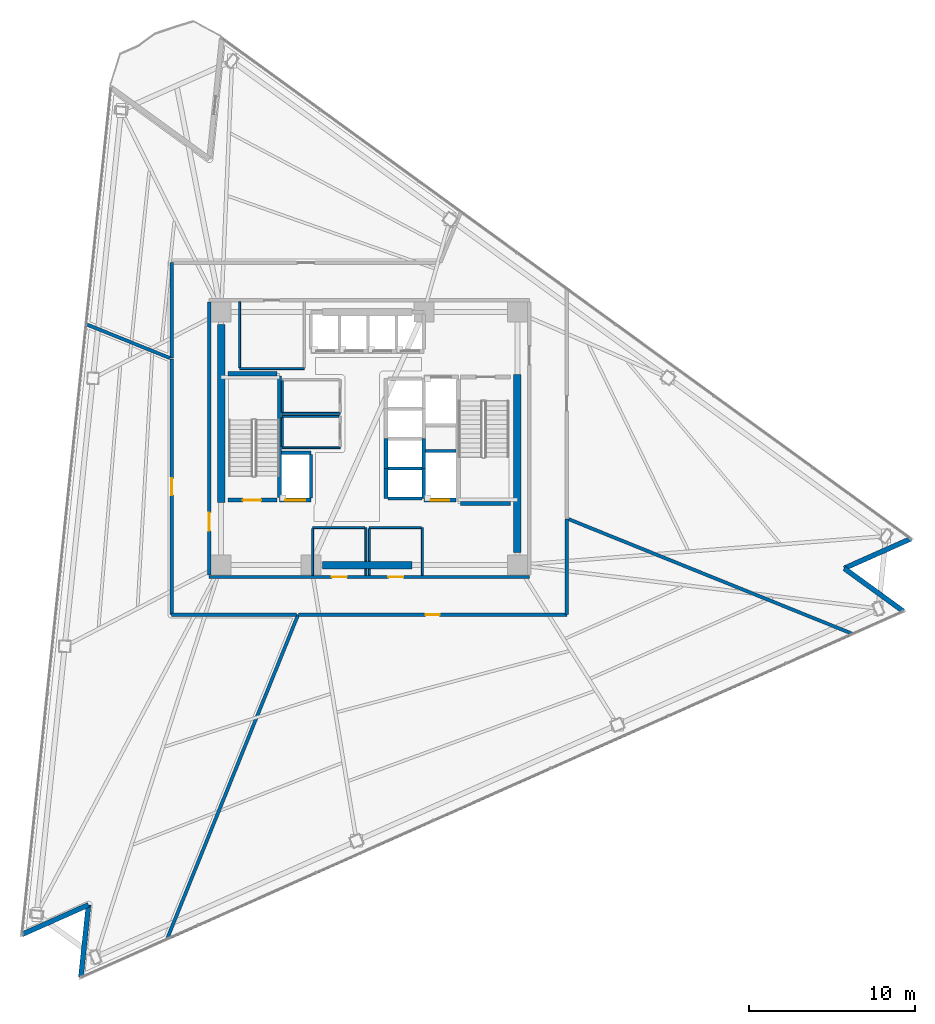
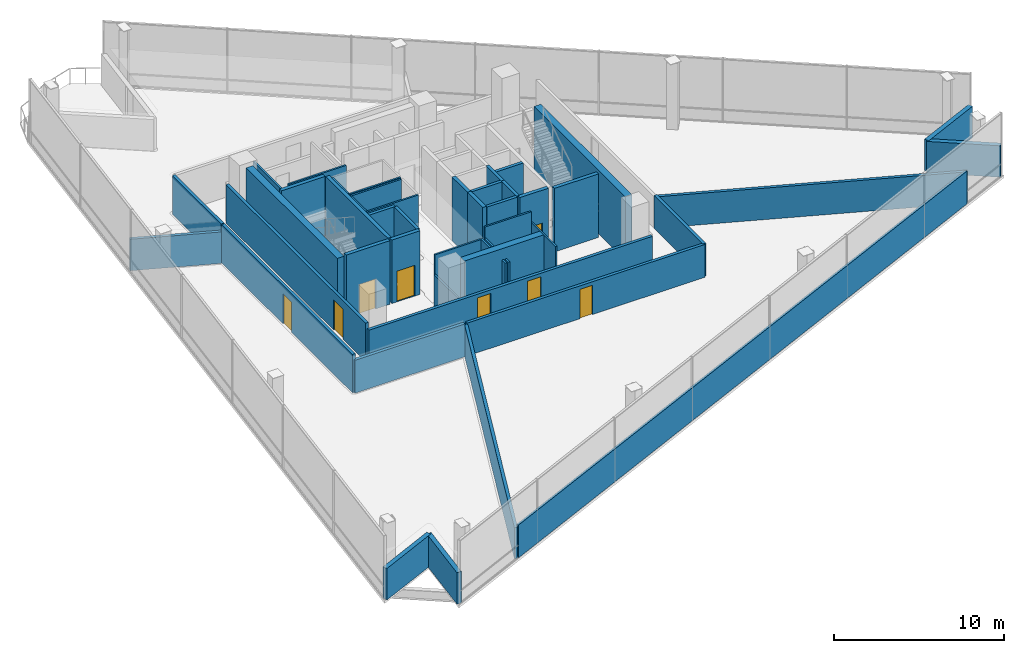
# One storey, part 11 of 18: 48 walls, 8 doors, 8 openings.
"""IFC4 building model written with IfcOpenShell, lengths in metres."""

from ifc_helpers import new_model, si_unit, direction, frame, frame_2d, origin, place, context, subcontext, project, spatial, rectangle, extrude, material, layer, layer_set, type_object, element, fill, save


model = new_model("IFC4")

# Units and contexts
model_context = context("Model", 3, precision=1e-05, world=origin(), true_north=direction((0.0, 1.0)))
body_context = subcontext(model_context, "Body", "Model", "MODEL_VIEW")
ifc_project = project(units=[si_unit("LENGTHUNIT", "METRE"), si_unit("AREAUNIT", "SQUARE_METRE"), si_unit("VOLUMEUNIT", "CUBIC_METRE"), si_unit("PLANEANGLEUNIT", "RADIAN"), si_unit("MASSUNIT", "GRAM", prefix="KILO")], contexts=[model_context])

# Site, building, storey
site_placement = place(None, origin())
site = spatial("IfcSite", under=ifc_project, at=site_placement, CompositionType="ELEMENT")
building_placement = place(site_placement, origin())
building = spatial("IfcBuilding", under=site, at=building_placement, Name="Tharavind Bronze Gate", CompositionType="ELEMENT")
storey_placement = place(building_placement, frame((0.0, 0.0, 134.050048828125)))
storey = spatial("IfcBuildingStorey", under=building, at=storey_placement, Name="L34", CompositionType="ELEMENT", Elevation=134.050048828125)

# Walls
ifc_material_1 = material(Name="Concrete C40/50", Category="concrete")
ifc_layer_1 = layer(ifc_material_1, 0.300048828125)
ifc_layer_set_1 = layer_set([ifc_layer_1], Name="Concrete C40/50")
wall_type_1 = type_object("IfcWallType", Name="EXTERIOR SPANDREL WALL 300", PredefinedType="STANDARD", material=ifc_layer_set_1)
for number, where, z_axis, x_axis, name in (
    (1, (-20.878662109375, -29.811279296875, 0.0), (0.0, 0.0, 1.0), (0.913542411385, 0.406743485013, 0.0), "L34 notch cheek wall 2A"),
    (2, (-16.87744140625, -28.02978515625, 0.0), (0.0, 0.0, 1.0), (-0.10451359066, -0.99452345843, 0.0), "L34 notch cheek wall 2B"),
    (3, (32.099853515625, -10.3759765625, 0.0), (0.0, 0.0, 1.0), (-0.809018008275, 0.587783856777, 0.0), "L34 notch cheek wall 3A"),
    (4, (28.556396484375, -7.801513671875, 0.0), (0.0, 0.0, 1.0), (0.913542411385, 0.406743485013, 0.0), "L34 notch cheek wall 3B"),
):
    element("IfcWall", number, at=place(storey_placement, frame(where, z_axis=z_axis, x_axis=x_axis)), inside=storey, type_object=wall_type_1, Name=name, PredefinedType="STANDARD", context=body_context, shape_type="SweptSolid", body=[
        extrude(rectangle(XDim=4.3798828125, YDim=0.300048828125, at=frame_2d((2.18994140625, 0.0))), origin(), (0.0, 0.0, 1.0), 2.2548828125),
    ])

# Wall, openings, doors
ifc_material_2 = material(Name="Aerated Concrete Block", Category="concrete")
ifc_layer_2 = layer(ifc_material_2, 0.199951171875)
ifc_layer_set_2 = layer_set([ifc_layer_2], Name="Aerated Concrete Block")
wall_type_2 = type_object("IfcWallType", Name="FIRE RATED PARTITION 200", PredefinedType="PARTITIONING", material=ifc_layer_set_2)
wall_1_placement = place(storey_placement, frame((-9.6201171875, -8.320068359375, 0.0), z_axis=(0.0, 0.0, 1.0), x_axis=(1.0, 0.0, 0.0)))
wall_1 = element("IfcWall", 5, at=wall_1_placement, inside=storey, type_object=wall_type_2, Name="L34 south core corridor wall", PredefinedType="PARTITIONING", context=body_context, shape_type="SweptSolid", body=[
    extrude(rectangle(XDim=19.240234375, YDim=0.199951171875, at=frame_2d((9.6201171875, 0.0))), origin(), (0.0, 0.0, 1.0), 2.35498046875),
])
opening_1_placement = place(wall_1_placement, frame((7.3701171875, 0.0, 0.0)))
opening_1 = element("IfcOpeningElement", 6, at=opening_1_placement, cuts=wall_1, Name="Opening ID07", PredefinedType="OPENING", context=body_context, shape_type="SweptSolid", body=[
    extrude(rectangle(XDim=0.89990234375, YDim=2.10009765625, at=frame_2d((0.449951171875, 1.050048828125))), frame((0.0, 0.11009765625, 0.0), z_axis=(0.0, -1.0, 0.0), x_axis=(1.0, 0.0, 0.0)), (0.0, 0.0, 1.0), 0.219951171875),
])
opening_2_placement = place(wall_1_placement, frame((10.77001953125, 0.0, 0.0)))
opening_2 = element("IfcOpeningElement", 7, at=opening_2_placement, cuts=wall_1, Name="Opening ID07", PredefinedType="OPENING", context=body_context, shape_type="SweptSolid", body=[
    extrude(rectangle(XDim=0.89990234375, YDim=2.10009765625, at=frame_2d((0.449951171875, 1.050048828125))), frame((0.0, 0.11009765625, 0.0), z_axis=(0.0, -1.0, 0.0), x_axis=(1.0, 0.0, 0.0)), (0.0, 0.0, 1.0), 0.219951171875),
])
ifc_material_3 = material(Name="Galvanised Fire Steel", Category="steel")
door_type_1 = type_object("IfcDoorType", Name="PLANT AND RISER FIRE DOOR 900X2100", OperationType="SINGLE_SWING_LEFT", PredefinedType="DOOR", material=ifc_material_3)
door_1_placement = place(opening_1_placement, frame((0.89990234375, 0.0, 0.0), z_axis=(0.0, 0.0, 1.0), x_axis=(-1.0, 0.0, 0.0)))
door_1 = element("IfcDoor", 8, at=door_1_placement, inside=storey, type_object=door_type_1, Name="L34 Core Archive Store fire door", OperationType="SINGLE_SWING_LEFT", OverallHeight=2.10009765625, OverallWidth=0.89990234375, PredefinedType="DOOR", context=body_context, shape_type="SweptSolid", body=[
    extrude(rectangle(XDim=0.89990234375, YDim=2.10009765625, at=frame_2d((0.449951171875, 1.050048828125))), frame((0.0, 0.02490234375, 0.0), z_axis=(0.0, -1.0, 0.0), x_axis=(1.0, 0.0, 0.0)), (0.0, 0.0, 1.0), 0.050048828125),
])
fill(opening_1, door_1)
door_2_placement = place(opening_2_placement, frame((0.89990234375, 0.0, 0.0), z_axis=(0.0, 0.0, 1.0), x_axis=(-1.0, 0.0, 0.0)))
door_2 = element("IfcDoor", 9, at=door_2_placement, inside=storey, type_object=door_type_1, Name="L34 Core Server Room fire door", OperationType="SINGLE_SWING_LEFT", OverallHeight=2.10009765625, OverallWidth=0.89990234375, PredefinedType="DOOR", context=body_context, shape_type="SweptSolid", body=[
    extrude(rectangle(XDim=0.89990234375, YDim=2.10009765625, at=frame_2d((0.449951171875, 1.050048828125))), frame((0.0, 0.02490234375, 0.0), z_axis=(0.0, -1.0, 0.0), x_axis=(1.0, 0.0, 0.0)), (0.0, 0.0, 1.0), 0.050048828125),
])
fill(opening_2, door_2)

# Wall, opening, door
wall_2_placement = place(storey_placement, frame((-9.6201171875, 8.199951171875, 0.0), z_axis=(0.0, 0.0, 1.0), x_axis=(0.0, -1.0, 0.0)))
wall_2 = element("IfcWall", 10, at=wall_2_placement, inside=storey, type_object=wall_type_2, Name="L34 west core corridor wall", PredefinedType="PARTITIONING", context=body_context, shape_type="SweptSolid", body=[
    extrude(rectangle(XDim=16.39990234375, YDim=0.199951171875, at=frame_2d((8.199951171875, 0.0))), origin(), (0.0, 0.0, 1.0), 2.7548828125),
])
opening_3_placement = place(wall_2_placement, frame((12.64990234375, 0.0, 0.0)))
opening_3 = element("IfcOpeningElement", 11, at=opening_3_placement, cuts=wall_2, Name="Opening ID01", PredefinedType="OPENING", context=body_context, shape_type="SweptSolid", body=[
    extrude(rectangle(XDim=1.10009765625, YDim=2.14990234375, at=frame_2d((0.550048828125, 1.074951171875))), frame((0.0, 0.11009765625, 0.0), z_axis=(0.0, -1.0, 0.0), x_axis=(1.0, 0.0, 0.0)), (0.0, 0.0, 1.0), 0.219951171875),
])
ifc_material_4 = material(Name="Fire-Rated Steel", Category="steel")
door_type_2 = type_object("IfcDoorType", Name="STAIR CORE FIRE DOOR 1100X2150", OperationType="SINGLE_SWING_LEFT", PredefinedType="DOOR", material=ifc_material_4)
door_3_placement = place(opening_3_placement, frame((1.10009765625, 0.0, 0.0), z_axis=(0.0, 0.0, 1.0), x_axis=(-1.0, 0.0, 0.0)))
door_3 = element("IfcDoor", 12, at=door_3_placement, inside=storey, type_object=door_type_2, Name="L34 south west stair lobby fire door", OperationType="SINGLE_SWING_LEFT", OverallHeight=2.14990234375, OverallWidth=1.10009765625, PredefinedType="DOOR", context=body_context, shape_type="SweptSolid", body=[
    extrude(rectangle(XDim=1.10009765625, YDim=2.14990234375, at=frame_2d((0.550048828125, 1.074951171875))), frame((0.0, 0.02490234375, 0.0), z_axis=(0.0, -1.0, 0.0), x_axis=(1.0, 0.0, 0.0)), (0.0, 0.0, 1.0), 0.050048828125),
])
fill(opening_3, door_3)

# Wall
wall_3_placement = place(storey_placement, frame((-12.15234375, -30.078369140625, 0.0), z_axis=(0.0, 0.0, 1.0), x_axis=(0.374599633096, 0.927186666688, 0.0)))
element("IfcWall", 13, at=wall_3_placement, inside=storey, type_object=wall_type_2, Name="L34 Public Restrooms Block partition", PredefinedType="PARTITIONING", context=body_context, shape_type="SweptSolid", body=[
    extrude(rectangle(XDim=21.0126953125, YDim=0.199951171875, at=frame_2d((10.50634765625, 0.0))), origin(), (0.0, 0.0, 1.0), 2.2548828125),
])

# Wall, opening, door
wall_4_placement = place(storey_placement, frame((-4.2578125, -10.580078125, 0.0), z_axis=(0.0, 0.0, 1.0), x_axis=(1.0, 0.0, 0.0)))
wall_4 = element("IfcWall", 14, at=wall_4_placement, inside=storey, type_object=wall_type_2, Name="L34 Public Restrooms Block partition", PredefinedType="PARTITIONING", context=body_context, shape_type="SweptSolid", body=[
    extrude(rectangle(XDim=16.13720703125, YDim=0.199951171875, at=frame_2d((8.068603515625, 0.0))), origin(), (0.0, 0.0, 1.0), 2.35498046875),
])
opening_4_placement = place(wall_4_placement, frame((7.64404296875, 0.0, 0.0)))
opening_4 = element("IfcOpeningElement", 15, at=opening_4_placement, cuts=wall_4, Name="Opening ID06", PredefinedType="OPENING", context=body_context, shape_type="SweptSolid", body=[
    extrude(rectangle(XDim=0.85009765625, YDim=2.10009765625, at=frame_2d((0.425048828125, 1.050048828125))), frame((0.0, 0.11009765625, 0.0), z_axis=(0.0, -1.0, 0.0), x_axis=(1.0, 0.0, 0.0)), (0.0, 0.0, 1.0), 0.219951171875),
])
ifc_material_5 = material(Name="Moisture-Resistant Timber", Category="wood")
door_type_3 = type_object("IfcDoorType", Name="BATHROOM PRIVACY DOOR 850X2100", OperationType="SINGLE_SWING_RIGHT", PredefinedType="DOOR", material=ifc_material_5)
door_4_placement = place(opening_4_placement, origin())
door_4 = element("IfcDoor", 16, at=door_4_placement, inside=storey, type_object=door_type_3, Name="L34 Public Restrooms Block door", OperationType="SINGLE_SWING_RIGHT", OverallHeight=2.10009765625, OverallWidth=0.85009765625, PredefinedType="DOOR", context=body_context, shape_type="SweptSolid", body=[
    extrude(rectangle(XDim=0.85009765625, YDim=2.10009765625, at=frame_2d((0.425048828125, 1.050048828125))), frame((0.0, 0.02490234375, 0.0), z_axis=(0.0, -1.0, 0.0), x_axis=(1.0, 0.0, 0.0)), (0.0, 0.0, 1.0), 0.050048828125),
])
fill(opening_4, door_4)

# Walls
wall_5_placement = place(storey_placement, frame((11.8798828125, -10.579345703125, 0.0), z_axis=(0.0, 0.0, 1.0), x_axis=(0.0, 1.0, 0.0)))
element("IfcWall", 17, at=wall_5_placement, inside=storey, type_object=wall_type_2, Name="L34 Public Restrooms Block partition", PredefinedType="PARTITIONING", context=body_context, shape_type="SweptSolid", body=[
    extrude(rectangle(XDim=5.742431640625, YDim=0.199951171875, at=frame_2d((2.87109375, 0.0))), origin(), (0.0, 0.0, 1.0), 2.35498046875),
])
wall_6_placement = place(storey_placement, frame((11.985107421875, -4.84228515625, 0.0), z_axis=(0.0, 0.0, 1.0), x_axis=(0.927179986841, -0.37461616623, 0.0)))
element("IfcWall", 18, at=wall_6_placement, inside=storey, type_object=wall_type_2, Name="L34 Public Restrooms Block partition", PredefinedType="PARTITIONING", context=body_context, shape_type="SweptSolid", body=[
    extrude(rectangle(XDim=18.40087890625, YDim=0.199951171875, at=frame_2d((9.200439453125, 0.0))), origin(), (0.0, 0.0, 1.0), 2.2548828125),
])
wall_7_placement = place(storey_placement, frame((-11.8798828125, 10.579345703125, 0.0), z_axis=(0.0, 0.0, 1.0), x_axis=(0.0, -1.0, 0.0)))
element("IfcWall", 19, at=wall_7_placement, inside=storey, type_object=wall_type_2, Name="L34 Broadcast Editorial Studio partition", PredefinedType="PARTITIONING", context=body_context, shape_type="SweptSolid", body=[
    extrude(rectangle(XDim=5.742431640625, YDim=0.199951171875, at=frame_2d((2.87109375, 0.0))), origin(), (0.0, 0.0, 1.0), 2.7548828125),
])
wall_8_placement = place(storey_placement, frame((-11.985107421875, 4.84228515625, 0.0), z_axis=(0.0, 0.0, 1.0), x_axis=(-0.927177390152, 0.374622593006, 0.0)))
element("IfcWall", 20, at=wall_8_placement, inside=storey, type_object=wall_type_2, Name="L34 Broadcast Editorial Studio partition", PredefinedType="PARTITIONING", context=body_context, shape_type="SweptSolid", body=[
    extrude(rectangle(XDim=5.414306640625, YDim=0.199951171875, at=frame_2d((2.70703125, 0.0))), origin(), (0.0, 0.0, 1.0), 2.2548828125),
])

# Wall, opening, door
wall_9_placement = place(storey_placement, frame((-11.8798828125, 4.782958984375, 0.0), z_axis=(0.0, 0.0, 1.0), x_axis=(0.0, -1.0, 0.0)))
wall_9 = element("IfcWall", 21, at=wall_9_placement, inside=storey, type_object=wall_type_2, Name="L34 Media Production Office partition", PredefinedType="PARTITIONING", context=body_context, shape_type="SweptSolid", body=[
    extrude(rectangle(XDim=15.3623046875, YDim=0.199951171875, at=frame_2d((7.68115234375, 0.0))), origin(), (0.0, 0.0, 1.0), 2.7548828125),
])
opening_5_placement = place(wall_9_placement, frame((7.180908203125, 0.0, 0.0)))
opening_5 = element("IfcOpeningElement", 22, at=opening_5_placement, cuts=wall_9, Name="Opening ID04", PredefinedType="OPENING", context=body_context, shape_type="SweptSolid", body=[
    extrude(rectangle(XDim=1.0, YDim=2.14990234375, at=frame_2d((0.5, 1.074951171875))), frame((0.0, 0.11009765625, 0.0), z_axis=(0.0, -1.0, 0.0), x_axis=(1.0, 0.0, 0.0)), (0.0, 0.0, 1.0), 0.219951171875),
])
ifc_material_6 = material(Name="Bronze Framed Acoustic Timber", Category="wood")
door_type_4 = type_object("IfcDoorType", Name="OFFICE TENANCY DOOR 1000X2150", OperationType="SINGLE_SWING_RIGHT", PredefinedType="DOOR", material=ifc_material_6)
door_5_placement = place(opening_5_placement, origin())
door_5 = element("IfcDoor", 23, at=door_5_placement, inside=storey, type_object=door_type_4, Name="L34 Media Production Office door", OperationType="SINGLE_SWING_RIGHT", OverallHeight=2.14990234375, OverallWidth=1.0, PredefinedType="DOOR", context=body_context, shape_type="SweptSolid", body=[
    extrude(rectangle(XDim=1.0, YDim=2.14990234375, at=frame_2d((0.5, 1.074951171875))), frame((0.0, 0.02490234375, 0.0), z_axis=(0.0, -1.0, 0.0), x_axis=(1.0, 0.0, 0.0)), (0.0, 0.0, 1.0), 0.050048828125),
])
fill(opening_5, door_5)

# Walls
wall_10_placement = place(storey_placement, frame((-11.87939453125, -10.580078125, 0.0), z_axis=(0.0, 0.0, 1.0), x_axis=(1.0, 0.0, 0.0)))
element("IfcWall", 24, at=wall_10_placement, inside=storey, type_object=wall_type_2, Name="L34 Media Production Office partition", PredefinedType="PARTITIONING", context=body_context, shape_type="SweptSolid", body=[
    extrude(rectangle(XDim=7.49169921875, YDim=0.199951171875, at=frame_2d((3.745849609375, 0.0))), origin(), (0.0, 0.0, 1.0), 2.35498046875),
])
ifc_material_7 = material(Name="Metal Stud Gypsum Partition", Category="gypsum")
ifc_layer_3 = layer(ifc_material_7, 0.1201171875)
ifc_layer_set_3 = layer_set([ifc_layer_3], Name="Metal Stud Gypsum Partition")
wall_type_3 = type_object("IfcWallType", Name="INTERIOR PARTITION WALL 120", PredefinedType="PARTITIONING", material=ifc_layer_set_3)
wall_11_placement = place(storey_placement, frame((-5.219970703125, 1.52001953125, 0.0), z_axis=(0.0, 0.0, 1.0), x_axis=(1.0, 0.0, 0.0)))
element("IfcWall", 25, at=wall_11_placement, inside=storey, type_object=wall_type_3, Name="L34 Cleaner Store Room partition 1", PredefinedType="PARTITIONING", context=body_context, shape_type="SweptSolid", body=[
    extrude(rectangle(XDim=3.469970703125, YDim=0.1201171875, at=frame_2d((1.73486328125, 0.0))), origin(), (0.0, 0.0, 1.0), 4.56005859375),
])
wall_12_placement = place(storey_placement, frame((-5.219970703125, 3.485107421875, 0.0), z_axis=(0.0, 0.0, 1.0), x_axis=(0.0, -1.0, 0.0)))
element("IfcWall", 26, at=wall_12_placement, inside=storey, type_object=wall_type_3, Name="L34 Cleaner Store Room partition 4", PredefinedType="PARTITIONING", context=body_context, shape_type="SweptSolid", body=[
    extrude(rectangle(XDim=1.900146484375, YDim=0.1201171875, at=frame_2d((0.9501953125, 0.0))), origin(), (0.0, 0.0, 1.0), 4.56005859375),
])
wall_13_placement = place(storey_placement, frame((-5.219970703125, -0.550048828125, 0.0), z_axis=(0.0, 0.0, 1.0), x_axis=(1.0, 0.0, 0.0)))
element("IfcWall", 27, at=wall_13_placement, inside=storey, type_object=wall_type_3, Name="L34 Electrical Switch Room partition 1", PredefinedType="PARTITIONING", context=body_context, shape_type="SweptSolid", body=[
    extrude(rectangle(XDim=3.469970703125, YDim=0.1201171875, at=frame_2d((1.73486328125, 0.0))), origin(), (0.0, 0.0, 1.0), 4.56005859375),
])
wall_14_placement = place(storey_placement, frame((-1.81494140625, 1.340087890625, 0.0), z_axis=(0.0, 0.0, 1.0), x_axis=(-1.0, 0.0, 0.0)))
element("IfcWall", 28, at=wall_14_placement, inside=storey, type_object=wall_type_3, Name="L34 Electrical Switch Room partition 3", PredefinedType="PARTITIONING", context=body_context, shape_type="SweptSolid", body=[
    extrude(rectangle(XDim=3.405029296875, YDim=0.1201171875, at=frame_2d((1.70263671875, 0.0))), origin(), (0.0, 0.0, 1.0), 4.56005859375),
])
wall_15_placement = place(storey_placement, frame((-5.219970703125, 1.27490234375, 0.0), z_axis=(0.0, 0.0, 1.0), x_axis=(0.0, -1.0, 0.0)))
element("IfcWall", 29, at=wall_15_placement, inside=storey, type_object=wall_type_3, Name="L34 Electrical Switch Room partition 4", PredefinedType="PARTITIONING", context=body_context, shape_type="SweptSolid", body=[
    extrude(rectangle(XDim=1.760009765625, YDim=0.1201171875, at=frame_2d((0.8798828125, 0.0))), origin(), (0.0, 0.0, 1.0), 4.56005859375),
])
wall_16_placement = place(storey_placement, frame((-0.199951171875, -8.215087890625, 0.0), z_axis=(0.0, 0.0, 1.0), x_axis=(0.0, 1.0, 0.0)))
element("IfcWall", 30, at=wall_16_placement, inside=storey, type_object=wall_type_3, Name="L34 Core Archive Store partition 2", PredefinedType="PARTITIONING", context=body_context, shape_type="SweptSolid", body=[
    extrude(rectangle(XDim=0.385009765625, YDim=0.1201171875, at=frame_2d((0.1923828125, 0.0))), origin(), (0.0, 0.0, 1.0), 3.7548828125),
])
wall_17_placement = place(storey_placement, frame((-0.199951171875, -7.3701171875, 0.0), z_axis=(0.0, 0.0, 1.0), x_axis=(0.0, 1.0, 0.0)))
element("IfcWall", 31, at=wall_17_placement, inside=storey, type_object=wall_type_3, Name="L34 Core Archive Store partition 2", PredefinedType="PARTITIONING", context=body_context, shape_type="SweptSolid", body=[
    extrude(rectangle(XDim=2.02001953125, YDim=0.1201171875, at=frame_2d((1.010009765625, 0.0))), origin(), (0.0, 0.0, 1.0), 3.7548828125),
])
wall_18_placement = place(storey_placement, frame((-0.264892578125, -5.35009765625, 0.0), z_axis=(0.0, 0.0, 1.0), x_axis=(-1.0, 0.0, 0.0)))
element("IfcWall", 32, at=wall_18_placement, inside=storey, type_object=wall_type_3, Name="L34 Core Archive Store partition 3", PredefinedType="PARTITIONING", context=body_context, shape_type="SweptSolid", body=[
    extrude(rectangle(XDim=3.135009765625, YDim=0.1201171875, at=frame_2d((1.5673828125, 0.0))), origin(), (0.0, 0.0, 1.0), 3.7548828125),
])
wall_19_placement = place(storey_placement, frame((-3.39990234375, -5.4150390625, 0.0), z_axis=(0.0, 0.0, 1.0), x_axis=(0.0, -1.0, 0.0)))
element("IfcWall", 33, at=wall_19_placement, inside=storey, type_object=wall_type_3, Name="L34 Core Archive Store partition 4", PredefinedType="PARTITIONING", context=body_context, shape_type="SweptSolid", body=[
    extrude(rectangle(XDim=2.800048828125, YDim=0.1201171875, at=frame_2d((1.39990234375, 0.0))), origin(), (0.0, 0.0, 1.0), 2.35498046875),
])
wall_20_placement = place(storey_placement, frame((3.199951171875, -8.215087890625, 0.0), z_axis=(0.0, 0.0, 1.0), x_axis=(0.0, 1.0, 0.0)))
element("IfcWall", 34, at=wall_20_placement, inside=storey, type_object=wall_type_3, Name="L34 Core Server Room partition 2", PredefinedType="PARTITIONING", context=body_context, shape_type="SweptSolid", body=[
    extrude(rectangle(XDim=2.864990234375, YDim=0.1201171875, at=frame_2d((1.4326171875, 0.0))), origin(), (0.0, 0.0, 1.0), 3.7548828125),
])
wall_21_placement = place(storey_placement, frame((3.135009765625, -5.35009765625, 0.0), z_axis=(0.0, 0.0, 1.0), x_axis=(-1.0, 0.0, 0.0)))
element("IfcWall", 35, at=wall_21_placement, inside=storey, type_object=wall_type_3, Name="L34 Core Server Room partition 3", PredefinedType="PARTITIONING", context=body_context, shape_type="SweptSolid", body=[
    extrude(rectangle(XDim=3.135009765625, YDim=0.1201171875, at=frame_2d((1.5673828125, 0.0))), origin(), (0.0, 0.0, 1.0), 4.56005859375),
])
wall_22_placement = place(storey_placement, frame((0.0, -5.4150390625, 0.0), z_axis=(0.0, 0.0, 1.0), x_axis=(0.0, -1.0, 0.0)))
element("IfcWall", 36, at=wall_22_placement, inside=storey, type_object=wall_type_3, Name="L34 Core Server Room partition 4", PredefinedType="PARTITIONING", context=body_context, shape_type="SweptSolid", body=[
    extrude(rectangle(XDim=1.955078125, YDim=0.1201171875, at=frame_2d((0.9775390625, 0.0))), origin(), (0.0, 0.0, 1.0), 3.7548828125),
])
wall_23_placement = place(storey_placement, frame((0.0, -7.830078125, 0.0), z_axis=(0.0, 0.0, 1.0), x_axis=(0.0, -1.0, 0.0)))
element("IfcWall", 37, at=wall_23_placement, inside=storey, type_object=wall_type_3, Name="L34 Core Server Room partition 4", PredefinedType="PARTITIONING", context=body_context, shape_type="SweptSolid", body=[
    extrude(rectangle(XDim=0.385009765625, YDim=0.1201171875, at=frame_2d((0.1923828125, 0.0))), origin(), (0.0, 0.0, 1.0), 3.7548828125),
])
wall_24_placement = place(storey_placement, frame((-7.800048828125, 4.199951171875, 0.0), z_axis=(0.0, 0.0, 1.0), x_axis=(1.0, 0.0, 0.0)))
element("IfcWall", 38, at=wall_24_placement, inside=storey, type_object=wall_type_3, Name="L34 Electrical Switch Room partition 1", PredefinedType="PARTITIONING", context=body_context, shape_type="SweptSolid", body=[
    extrude(rectangle(XDim=3.900146484375, YDim=0.1201171875, at=frame_2d((1.9501953125, 0.0))), origin(), (0.0, 0.0, 1.0), 4.56005859375),
])
wall_25_placement = place(storey_placement, frame((-7.800048828125, 8.215087890625, 0.0), z_axis=(0.0, 0.0, 1.0), x_axis=(0.0, -1.0, 0.0)))
element("IfcWall", 39, at=wall_25_placement, inside=storey, type_object=wall_type_3, Name="L34 Electrical Switch Room partition 4", PredefinedType="PARTITIONING", context=body_context, shape_type="SweptSolid", body=[
    extrude(rectangle(XDim=3.9501953125, YDim=0.1201171875, at=frame_2d((1.97509765625, 0.0))), origin(), (0.0, 0.0, 1.0), 3.7548828125),
])
ifc_material_8 = material(Name="Twin Stud Acoustic Gypsum", Category="gypsum")
ifc_layer_4 = layer(ifc_material_8, 0.14990234375)
ifc_layer_set_4 = layer_set([ifc_layer_4], Name="Twin Stud Acoustic Gypsum")
wall_type_4 = type_object("IfcWallType", Name="INTERIOR PARTITION WALL 150", PredefinedType="PARTITIONING", material=ifc_layer_set_4)
wall_26_placement = place(storey_placement, frame((28.912841796875, -11.794921875, 0.0), z_axis=(0.0, 0.0, 1.0), x_axis=(-0.913545956469, -0.406735522692, 0.0)))
element("IfcWall", 40, at=wall_26_placement, inside=storey, type_object=wall_type_4, Name="L34 Public Restrooms Block partition", PredefinedType="PARTITIONING", context=body_context, shape_type="SweptSolid", body=[
    extrude(rectangle(XDim=44.800537109375, YDim=0.14990234375, at=frame_2d((22.400390625, 0.0))), origin(), (0.0, 0.0, 1.0), 2.35498046875),
])
ifc_material_9 = material(Name="Concrete C50/60", Category="concrete")
ifc_layer_5 = layer(ifc_material_9, 0.25)
ifc_layer_set_5 = layer_set([ifc_layer_5], Name="Concrete C50/60")
wall_type_5 = type_object("IfcWallType", Name="RC CORE SHEAR WALL 250", PredefinedType="SHEAR", material=ifc_layer_set_5)
wall_27_placement = place(storey_placement, frame((-5.39990234375, -3.550048828125, 0.0), z_axis=(0.0, 0.0, 1.0), x_axis=(0.0, 1.0, 0.0)))
element("IfcWall", 41, at=wall_27_placement, inside=storey, type_object=wall_type_5, Name="L34 ST1 shaft east wall", PredefinedType="SHEAR", context=body_context, shape_type="SweptSolid", body=[
    extrude(rectangle(XDim=7.300048828125, YDim=0.25, at=frame_2d((3.64990234375, 0.0))), origin(), (0.0, 0.0, 1.0), 4.56005859375),
])

# Wall, opening, door
wall_28_placement = place(storey_placement, frame((-8.5, -3.699951171875, 0.0), z_axis=(0.0, 0.0, 1.0), x_axis=(1.0, 0.0, 0.0)))
wall_28 = element("IfcWall", 42, at=wall_28_placement, inside=storey, type_object=wall_type_5, Name="L34 ST1 shaft south wall", PredefinedType="SHEAR", context=body_context, shape_type="SweptSolid", body=[
    extrude(rectangle(XDim=2.949951171875, YDim=0.25, at=frame_2d((1.47509765625, 0.0))), origin(), (0.0, 0.0, 1.0), 4.56005859375),
])
opening_6_placement = place(wall_28_placement, frame((0.89990234375, 0.0, 0.0)))
opening_6 = element("IfcOpeningElement", 43, at=opening_6_placement, cuts=wall_28, Name="Opening ID01", PredefinedType="OPENING", context=body_context, shape_type="SweptSolid", body=[
    extrude(rectangle(XDim=1.10009765625, YDim=2.14990234375, at=frame_2d((0.550048828125, 1.074951171875))), frame((0.0, 0.135, 0.0), z_axis=(0.0, -1.0, 0.0), x_axis=(1.0, 0.0, 0.0)), (0.0, 0.0, 1.0), 0.27),
])
door_6_placement = place(opening_6_placement, origin())
door_6 = element("IfcDoor", 44, at=door_6_placement, inside=storey, type_object=door_type_2, Name="L34 exit stair ST1 fire door", OperationType="SINGLE_SWING_LEFT", OverallHeight=2.14990234375, OverallWidth=1.10009765625, PredefinedType="DOOR", context=body_context, shape_type="SweptSolid", body=[
    extrude(rectangle(XDim=1.10009765625, YDim=2.14990234375, at=frame_2d((0.550048828125, 1.074951171875))), frame((0.0, 0.02490234375, 0.0), z_axis=(0.0, -1.0, 0.0), x_axis=(1.0, 0.0, 0.0)), (0.0, 0.0, 1.0), 0.050048828125),
])
fill(opening_6, door_6)

# Walls
wall_29_placement = place(storey_placement, frame((-8.5, 3.89990234375, 0.0), z_axis=(0.0, 0.0, 1.0), x_axis=(1.0, 0.0, 0.0)))
element("IfcWall", 45, at=wall_29_placement, inside=storey, type_object=wall_type_5, Name="L34 ST1 shaft north wall", PredefinedType="SHEAR", context=body_context, shape_type="SweptSolid", body=[
    extrude(rectangle(XDim=2.949951171875, YDim=0.25, at=frame_2d((1.47509765625, 0.0))), origin(), (0.0, 0.0, 1.0), 4.56005859375),
])
wall_30_placement = place(storey_placement, frame((5.5, -3.89990234375, 0.0), z_axis=(0.0, 0.0, 1.0), x_axis=(1.0, 0.0, 0.0)))
element("IfcWall", 46, at=wall_30_placement, inside=storey, type_object=wall_type_5, Name="L34 ST2 shaft south wall", PredefinedType="SHEAR", context=body_context, shape_type="SweptSolid", body=[
    extrude(rectangle(XDim=3.0, YDim=0.25, at=frame_2d((1.5, 0.0))), origin(), (0.0, 0.0, 1.0), 4.56005859375),
])
for number, where, z_axis, x_axis, name in (
    (47, (1.0, -3.60009765625, 0.0), (0.0, 0.0, 1.0), (0.0, 1.0, 0.0), "L34 lift PL9 shaft front wall"),
    (48, (1.0, -1.800048828125, 0.0), (0.0, 0.0, 1.0), (0.0, 1.0, 0.0), "L34 lift PL10 shaft front wall"),
):
    element("IfcWall", number, at=place(storey_placement, frame(where, z_axis=z_axis, x_axis=x_axis)), inside=storey, type_object=wall_type_5, Name=name, PredefinedType="SHEAR", context=body_context, shape_type="SweptSolid", body=[
        extrude(rectangle(XDim=1.800048828125, YDim=0.25, at=frame_2d((0.89990234375, 0.0))), origin(), (0.0, 0.0, 1.0), 4.56005859375),
    ])

# Wall, opening, door
wall_31_placement = place(storey_placement, frame((-5.39990234375, -3.699951171875, 0.0), z_axis=(0.0, 0.0, 1.0), x_axis=(1.0, 0.0, 0.0)))
wall_31 = element("IfcWall", 49, at=wall_31_placement, inside=storey, type_object=wall_type_5, Name="L34 lift FFL1 shaft front wall", PredefinedType="SHEAR", context=body_context, shape_type="SweptSolid", body=[
    extrude(rectangle(XDim=1.89990234375, YDim=0.25, at=frame_2d((0.949951171875, 0.0))), origin(), (0.0, 0.0, 1.0), 4.56005859375),
])
opening_7_placement = place(wall_31_placement, frame((0.35009765625, 0.0, 0.0)))
opening_7 = element("IfcOpeningElement", 50, at=opening_7_placement, cuts=wall_31, Name="Opening LD02", PredefinedType="OPENING", context=body_context, shape_type="SweptSolid", body=[
    extrude(rectangle(XDim=1.199951171875, YDim=2.199951171875, at=frame_2d((0.60009765625, 1.10009765625))), frame((0.0, 0.135, 0.0), z_axis=(0.0, -1.0, 0.0), x_axis=(1.0, 0.0, 0.0)), (0.0, 0.0, 1.0), 0.27),
])
ifc_material_10 = material(Name="Brushed Stainless Steel", Category="steel")
door_type_5 = type_object("IfcDoorType", Name="FIREFIGHTING LIFT LANDING DOOR 1200X2200", OperationType="SLIDING_TO_RIGHT", PredefinedType="DOOR", material=ifc_material_10)
door_7_placement = place(opening_7_placement, origin())
door_7 = element("IfcDoor", 51, at=door_7_placement, inside=storey, type_object=door_type_5, Name="L34 lift FFL1 sliding landing door", OperationType="SLIDING_TO_RIGHT", OverallHeight=2.199951171875, OverallWidth=1.199951171875, PredefinedType="DOOR", context=body_context, shape_type="SweptSolid", body=[
    extrude(rectangle(XDim=1.199951171875, YDim=2.199951171875, at=frame_2d((0.60009765625, 1.10009765625))), frame((0.0, 0.02490234375, 0.0), z_axis=(0.0, -1.0, 0.0), x_axis=(1.0, 0.0, 0.0)), (0.0, 0.0, 1.0), 0.050048828125),
])
fill(opening_7, door_7)

wall_32_placement = place(storey_placement, frame((3.280029296875, -3.699951171875, 0.0), z_axis=(0.0, 0.0, 1.0), x_axis=(1.0, 0.0, 0.0)))
wall_32 = element("IfcWall", 52, at=wall_32_placement, inside=storey, type_object=wall_type_5, Name="L34 lift SVL1 shaft front wall", PredefinedType="SHEAR", context=body_context, shape_type="SweptSolid", body=[
    extrude(rectangle(XDim=1.93994140625, YDim=0.25, at=frame_2d((0.969970703125, 0.0))), origin(), (0.0, 0.0, 1.0), 4.56005859375),
])
opening_8_placement = place(wall_32_placement, frame((0.419921875, 0.0, 0.0)))
opening_8 = element("IfcOpeningElement", 53, at=opening_8_placement, cuts=wall_32, Name="Opening LD01", PredefinedType="OPENING", context=body_context, shape_type="SweptSolid", body=[
    extrude(rectangle(XDim=1.10009765625, YDim=2.199951171875, at=frame_2d((0.550048828125, 1.10009765625))), frame((0.0, 0.135, 0.0), z_axis=(0.0, -1.0, 0.0), x_axis=(1.0, 0.0, 0.0)), (0.0, 0.0, 1.0), 0.27),
])
ifc_material_11 = material(Name="Brushed Bronze Stainless Steel", Category="steel")
door_type_6 = type_object("IfcDoorType", Name="LIFT LANDING SLIDING DOOR 1100X2200", OperationType="SLIDING_TO_LEFT", PredefinedType="DOOR", material=ifc_material_11)
door_8_placement = place(opening_8_placement, origin())
door_8 = element("IfcDoor", 54, at=door_8_placement, inside=storey, type_object=door_type_6, Name="L34 lift SVL1 sliding landing door", OperationType="SLIDING_TO_LEFT", OverallHeight=2.199951171875, OverallWidth=1.10009765625, PredefinedType="DOOR", context=body_context, shape_type="SweptSolid", body=[
    extrude(rectangle(XDim=1.10009765625, YDim=2.199951171875, at=frame_2d((0.550048828125, 1.10009765625))), frame((0.0, 0.02490234375, 0.0), z_axis=(0.0, -1.0, 0.0), x_axis=(1.0, 0.0, 0.0)), (0.0, 0.0, 1.0), 0.050048828125),
])
fill(opening_8, door_8)

# Walls
ifc_material_12 = material(Name="Concrete C60/75", Category="concrete")
ifc_layer_6 = layer(ifc_material_12, 0.449951171875)
ifc_layer_set_6 = layer_set([ifc_layer_6], Name="Concrete C60/75")
wall_type_6 = type_object("IfcWallType", Name="RC CORE SHEAR WALL 450", PredefinedType="SHEAR", material=ifc_layer_set_6)
wall_33_placement = place(storey_placement, frame((-2.800048828125, -7.60009765625, 0.0), z_axis=(0.0, 0.0, 1.0), x_axis=(1.0, 0.0, 0.0)))
element("IfcWall", 55, at=wall_33_placement, inside=storey, type_object=wall_type_6, Name="L34 south core shear wall", PredefinedType="SHEAR", context=body_context, shape_type="SweptSolid", body=[
    extrude(rectangle(XDim=5.380126953125, YDim=0.449951171875, at=frame_2d((2.68994140625, 0.0))), origin(), (0.0, 0.0, 1.0), 4.56005859375),
])
for number, where, z_axis, x_axis, name in (
    (56, (-8.89990234375, -3.85009765625, 0.0), (0.0, 0.0, 1.0), (0.0, 1.0, 0.0), "L34 west core shear wall"),
    (57, (8.89990234375, -6.85009765625, 0.0), (0.0, 0.0, 1.0), (0.0, 1.0, 0.0), "L34 east core shear wall"),
):
    element("IfcWall", number, at=place(storey_placement, frame(where, z_axis=z_axis, x_axis=x_axis)), inside=storey, type_object=wall_type_6, Name=name, PredefinedType="SHEAR", context=body_context, shape_type="SweptSolid", body=[
        extrude(rectangle(XDim=10.7001953125, YDim=0.449951171875, at=frame_2d((5.35009765625, 0.0))), origin(), (0.0, 0.0, 1.0), 4.56005859375),
    ])
ifc_layer_7 = layer(ifc_material_1, 0.199951171875)
ifc_layer_set_7 = layer_set([ifc_layer_7], Name="Concrete C40/50")
wall_type_7 = type_object("IfcWallType", Name="SHAFT ENCLOSURE WALL 200", PredefinedType="PARTITIONING", material=ifc_layer_set_7)
wall_34_placement = place(storey_placement, frame((3.280029296875, -3.60009765625, 0.0), z_axis=(0.0, 0.0, 1.0), x_axis=(0.0, 1.0, 0.0)))
element("IfcWall", 58, at=wall_34_placement, inside=storey, type_object=wall_type_7, Name="L34 lift PL9 shaft E enclosure wall", PredefinedType="PARTITIONING", context=body_context, shape_type="SweptSolid", body=[
    extrude(rectangle(XDim=1.800048828125, YDim=0.199951171875, at=frame_2d((0.89990234375, 0.0))), origin(), (0.0, 0.0, 1.0), 4.56005859375),
])
for number, where, z_axis, x_axis, name in (
    (59, (1.1298828125, -3.60009765625, 0.0), (0.0, 0.0, 1.0), (1.0, 0.0, 0.0), "L34 lift PL9 shaft S enclosure wall"),
    (60, (1.1298828125, -1.800048828125, 0.0), (0.0, 0.0, 1.0), (1.0, 0.0, 0.0), "L34 lift PL9 shaft N enclosure wall"),
):
    element("IfcWall", number, at=place(storey_placement, frame(where, z_axis=z_axis, x_axis=x_axis)), inside=storey, type_object=wall_type_7, Name=name, PredefinedType="PARTITIONING", context=body_context, shape_type="SweptSolid", body=[
        extrude(rectangle(XDim=2.045166015625, YDim=0.199951171875, at=frame_2d((1.0224609375, 0.0))), origin(), (0.0, 0.0, 1.0), 4.56005859375),
    ])
wall_35_placement = place(storey_placement, frame((3.280029296875, -1.800048828125, 0.0), z_axis=(0.0, 0.0, 1.0), x_axis=(0.0, 1.0, 0.0)))
element("IfcWall", 61, at=wall_35_placement, inside=storey, type_object=wall_type_7, Name="L34 lift PL10 shaft E enclosure wall", PredefinedType="PARTITIONING", context=body_context, shape_type="SweptSolid", body=[
    extrude(rectangle(XDim=1.800048828125, YDim=0.199951171875, at=frame_2d((0.89990234375, 0.0))), origin(), (0.0, 0.0, 1.0), 4.56005859375),
])
wall_36_placement = place(storey_placement, frame((-5.27001953125, -0.85009765625, 0.0), z_axis=(0.0, 0.0, 1.0), x_axis=(1.0, 0.0, 0.0)))
element("IfcWall", 62, at=wall_36_placement, inside=storey, type_object=wall_type_7, Name="L34 lift FFL1 shaft N enclosure wall", PredefinedType="PARTITIONING", context=body_context, shape_type="SweptSolid", body=[
    extrude(rectangle(XDim=1.77001953125, YDim=0.199951171875, at=frame_2d((0.885009765625, 0.0))), origin(), (0.0, 0.0, 1.0), 4.56005859375),
])
wall_37_placement = place(storey_placement, frame((-3.5, -3.570068359375, 0.0), z_axis=(0.0, 0.0, 1.0), x_axis=(0.0, 1.0, 0.0)))
element("IfcWall", 63, at=wall_37_placement, inside=storey, type_object=wall_type_7, Name="L34 lift FFL1 shaft E enclosure wall", PredefinedType="PARTITIONING", context=body_context, shape_type="SweptSolid", body=[
    extrude(rectangle(XDim=2.614990234375, YDim=0.199951171875, at=frame_2d((1.3076171875, 0.0))), origin(), (0.0, 0.0, 1.0), 4.56005859375),
])
wall_38_placement = place(storey_placement, frame((3.385009765625, -0.75, 0.0), z_axis=(0.0, 0.0, 1.0), x_axis=(1.0, 0.0, 0.0)))
element("IfcWall", 64, at=wall_38_placement, inside=storey, type_object=wall_type_7, Name="L34 lift SVL1 shaft N enclosure wall", PredefinedType="PARTITIONING", context=body_context, shape_type="SweptSolid", body=[
    extrude(rectangle(XDim=1.8349609375, YDim=0.199951171875, at=frame_2d((0.91748046875, 0.0))), origin(), (0.0, 0.0, 1.0), 4.56005859375),
])

save(model, "model.ifc")
